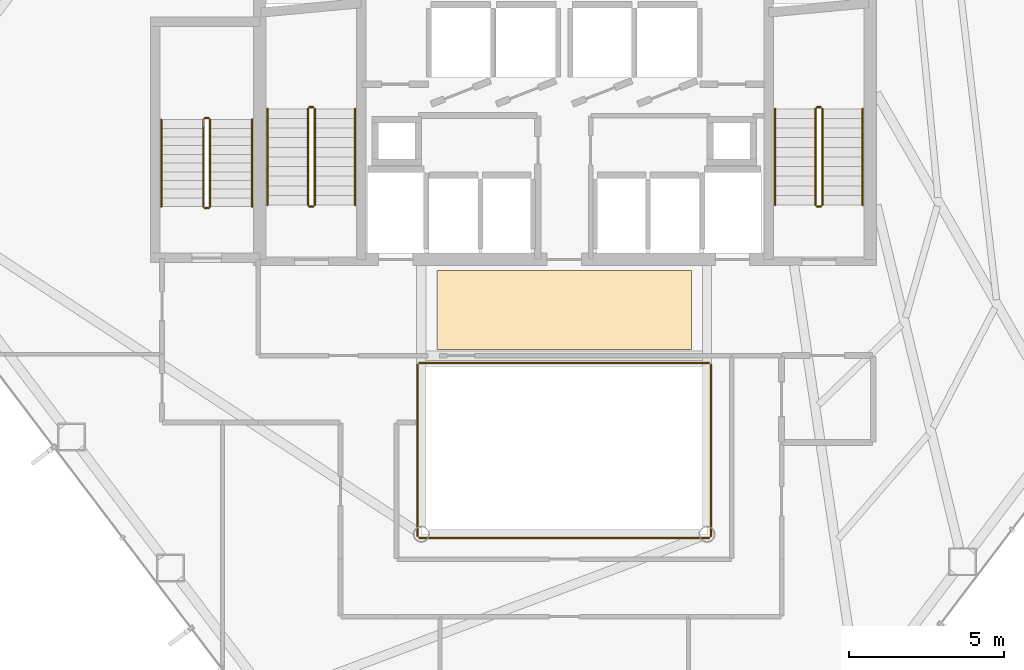
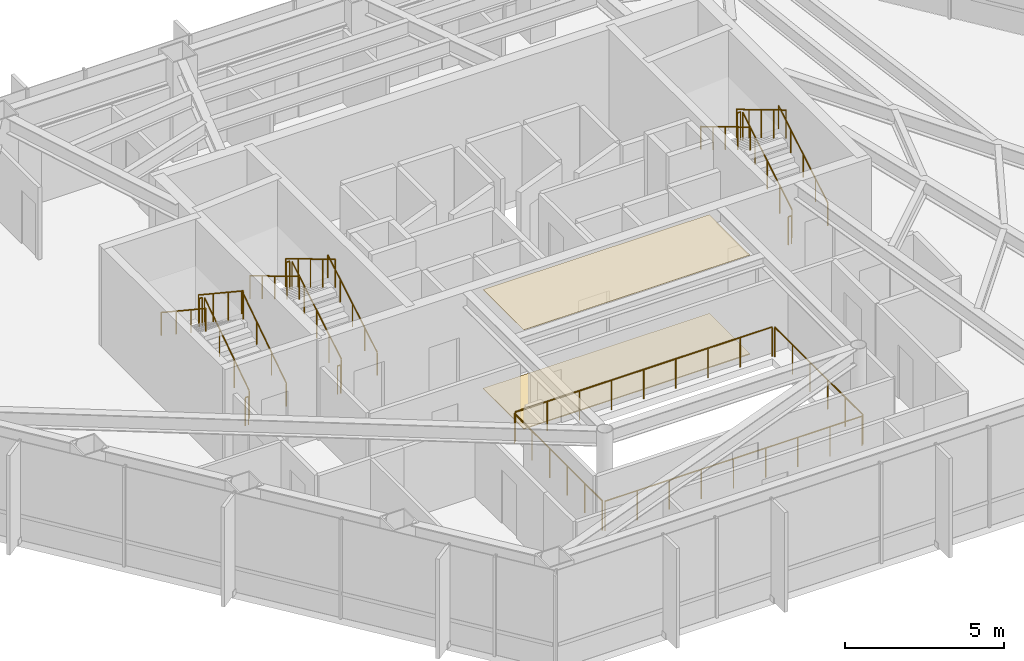
# One storey, part 25 of 25: 22 railings, 2 coverings.
"""IFC4 building model written with IfcOpenShell, lengths in metres."""

from ifc_helpers import new_model, si_unit, direction, frame, origin, origin_2d, place, context, subcontext, project, spatial, polyline, circle, outline, extrude, material, layer, layer_set, type_object, element, save


model = new_model("IFC4")

# Units and contexts
model_context = context("Model", 3, precision=1e-05, world=origin(), true_north=direction((0.0, 1.0)))
body_context = subcontext(model_context, "Body", "Model", "MODEL_VIEW")
ifc_project = project(units=[si_unit("LENGTHUNIT", "METRE"), si_unit("AREAUNIT", "SQUARE_METRE"), si_unit("VOLUMEUNIT", "CUBIC_METRE"), si_unit("PLANEANGLEUNIT", "RADIAN"), si_unit("MASSUNIT", "GRAM", prefix="KILO")], contexts=[model_context])

# Site, building, storey
site_placement = place(None, origin())
site = spatial("IfcSite", under=ifc_project, at=site_placement, CompositionType="ELEMENT")
building_placement = place(site_placement, origin())
building = spatial("IfcBuilding", under=site, at=building_placement, Name="Zarrinselat Tower", CompositionType="ELEMENT")
storey_placement = place(building_placement, frame((0.0, 0.0, 84.659912109375)))
storey = spatial("IfcBuildingStorey", under=building, at=storey_placement, Name="L20", CompositionType="ELEMENT", Elevation=84.659912109375)

# Coverings
ifc_material_1 = material(Name="Fire-Rated Gypsum Board Partition")
ifc_layer_1 = layer(ifc_material_1, 0.014892578125)
ifc_layer_set_1 = layer_set([ifc_layer_1], Name="Fire-Rated Gypsum Board Partition")
covering_type_1 = type_object("IfcCoveringType", Name="COV-CLG-AC15", PredefinedType="CEILING", material=ifc_layer_set_1)
covering_1_placement = place(storey_placement, frame((0.0, 0.0, 3.80517578125)))
element("IfcCovering", 1, at=covering_1_placement, inside=storey, type_object=covering_type_1, Name="L20 Lift Lobby Acoustic Ceiling", PredefinedType="CEILING", context=body_context, shape_type="SweptSolid", body=[
    extrude(outline(polyline([(34.300048828125, 30.35009765625), (42.5, 30.35009765625), (42.5, 32.89990234375), (34.300048828125, 32.89990234375), (34.300048828125, 30.35009765625)])), origin(), (0.0, 0.0, 1.0), 0.014892578125),
])
ifc_material_2 = material(Name="Precast concrete C40/50", Category="concrete")
ifc_layer_2 = layer(ifc_material_2, 0.034912109375)
ifc_layer_set_2 = layer_set([ifc_layer_2], Name="Precast concrete C40/50")
covering_type_2 = type_object("IfcCoveringType", Name="COV-FLR-CP35", PredefinedType="FLOORING", material=ifc_layer_set_2)
covering_2_placement = place(storey_placement, origin())
element("IfcCovering", 2, at=covering_2_placement, inside=storey, type_object=covering_type_2, Name="L20 Lift Lobby Stone Flooring", PredefinedType="FLOORING", context=body_context, shape_type="SweptSolid", body=[
    extrude(outline(polyline([(34.300048828125, 30.35009765625), (42.5, 30.35009765625), (42.5, 32.89990234375), (34.300048828125, 32.89990234375), (34.300048828125, 30.35009765625)])), origin(), (0.0, 0.0, 1.0), 0.03515625),
])

# Railings
ifc_material_3 = material(Name="Double Low-E Laminated Solar Glass", Category="glass")
railing_type_1 = type_object("IfcRailingType", Name="RLG-ATRIUM-BAL", PredefinedType="BALUSTRADE", material=ifc_material_3)
railing_1_placement = place(storey_placement, frame((33.739990234375, 24.280029296875, 0.0)))
element("IfcRailing", 3, at=railing_1_placement, inside=storey, type_object=railing_type_1, Name="L20 Atrium Void Glass Balustrade S", PredefinedType="BALUSTRADE", context=body_context, shape_type="SweptSolid", body=[
    extrude(circle(Radius=0.02392578125, at=origin_2d()), frame((0.0, 0.0, 1.1259765625), z_axis=(1.0, 0.0, 0.0), x_axis=(0.0, 1.0, 0.0)), (0.0, 0.0, 1.0), 9.320068359375),
    extrude(circle(Radius=0.02099609375, at=origin_2d()), origin(), (0.0, 0.0, 1.0), 1.099853515625),
    extrude(circle(Radius=0.02099609375, at=origin_2d()), frame((1.1650390625, 0.0, 0.0)), (0.0, 0.0, 1.0), 1.099853515625),
    extrude(circle(Radius=0.02099609375, at=origin_2d()), frame((2.330078125, 0.0, 0.0)), (0.0, 0.0, 1.0), 1.099853515625),
    extrude(circle(Radius=0.02099609375, at=origin_2d()), frame((3.4951171875, 0.0, 0.0)), (0.0, 0.0, 1.0), 1.099853515625),
    extrude(circle(Radius=0.02099609375, at=origin_2d()), frame((4.66015625, 0.0, 0.0)), (0.0, 0.0, 1.0), 1.099853515625),
    extrude(circle(Radius=0.02099609375, at=origin_2d()), frame((5.824951171875, 0.0, 0.0)), (0.0, 0.0, 1.0), 1.099853515625),
    extrude(circle(Radius=0.02099609375, at=origin_2d()), frame((6.989990234375, 0.0, 0.0)), (0.0, 0.0, 1.0), 1.099853515625),
    extrude(circle(Radius=0.02099609375, at=origin_2d()), frame((8.155029296875, 0.0, 0.0)), (0.0, 0.0, 1.0), 1.099853515625),
    extrude(circle(Radius=0.02099609375, at=origin_2d()), frame((9.320068359375, 0.0, 0.0)), (0.0, 0.0, 1.0), 1.099853515625),
])
railing_2_placement = place(storey_placement, frame((43.1201171875, 24.340087890625, 0.0)))
element("IfcRailing", 4, at=railing_2_placement, inside=storey, type_object=railing_type_1, Name="L20 Atrium Void Glass Balustrade E", PredefinedType="BALUSTRADE", context=body_context, shape_type="SweptSolid", body=[
    extrude(circle(Radius=0.02392578125, at=origin_2d()), frame((0.0, 0.0, 1.1259765625), z_axis=(0.0, 1.0, 0.0), x_axis=(-1.0, 0.0, 0.0)), (0.0, 0.0, 1.0), 5.52001953125),
    extrude(circle(Radius=0.02099609375, at=origin_2d()), origin(), (0.0, 0.0, 1.0), 1.099853515625),
    extrude(circle(Radius=0.02099609375, at=origin_2d()), frame((0.0, 1.10400390625, 0.0)), (0.0, 0.0, 1.0), 1.099853515625),
    extrude(circle(Radius=0.02099609375, at=origin_2d()), frame((0.0, 2.2080078125, 0.0)), (0.0, 0.0, 1.0), 1.099853515625),
    extrude(circle(Radius=0.02099609375, at=origin_2d()), frame((0.0, 3.31201171875, 0.0)), (0.0, 0.0, 1.0), 1.099853515625),
    extrude(circle(Radius=0.02099609375, at=origin_2d()), frame((0.0, 4.416015625, 0.0)), (0.0, 0.0, 1.0), 1.099853515625),
    extrude(circle(Radius=0.02099609375, at=origin_2d()), frame((0.0, 5.52001953125, 0.0)), (0.0, 0.0, 1.0), 1.099853515625),
])
railing_3_placement = place(storey_placement, frame((43.06005859375, 29.919921875, 0.0)))
element("IfcRailing", 5, at=railing_3_placement, inside=storey, type_object=railing_type_1, Name="L20 Atrium Void Glass Balustrade N", PredefinedType="BALUSTRADE", context=body_context, shape_type="SweptSolid", body=[
    extrude(circle(Radius=0.02392578125, at=origin_2d()), frame((0.0, 0.0, 1.1259765625), z_axis=(-1.0, 0.0, 0.0), x_axis=(0.0, -1.0, 0.0)), (0.0, 0.0, 1.0), 9.320068359375),
    extrude(circle(Radius=0.02099609375, at=origin_2d()), origin(), (0.0, 0.0, 1.0), 1.099853515625),
    extrude(circle(Radius=0.02099609375, at=origin_2d()), frame((-1.1650390625, 0.0, 0.0)), (0.0, 0.0, 1.0), 1.099853515625),
    extrude(circle(Radius=0.02099609375, at=origin_2d()), frame((-2.330078125, 0.0, 0.0)), (0.0, 0.0, 1.0), 1.099853515625),
    extrude(circle(Radius=0.02099609375, at=origin_2d()), frame((-3.4951171875, 0.0, 0.0)), (0.0, 0.0, 1.0), 1.099853515625),
    extrude(circle(Radius=0.02099609375, at=origin_2d()), frame((-4.66015625, 0.0, 0.0)), (0.0, 0.0, 1.0), 1.099853515625),
    extrude(circle(Radius=0.02099609375, at=origin_2d()), frame((-5.824951171875, 0.0, 0.0)), (0.0, 0.0, 1.0), 1.099853515625),
    extrude(circle(Radius=0.02099609375, at=origin_2d()), frame((-6.989990234375, 0.0, 0.0)), (0.0, 0.0, 1.0), 1.099853515625),
    extrude(circle(Radius=0.02099609375, at=origin_2d()), frame((-8.155029296875, 0.0, 0.0)), (0.0, 0.0, 1.0), 1.099853515625),
    extrude(circle(Radius=0.02099609375, at=origin_2d()), frame((-9.320068359375, 0.0, 0.0)), (0.0, 0.0, 1.0), 1.099853515625),
])
railing_4_placement = place(storey_placement, frame((33.679931640625, 29.860107421875, 0.0)))
element("IfcRailing", 6, at=railing_4_placement, inside=storey, type_object=railing_type_1, Name="L20 Atrium Void Glass Balustrade W", PredefinedType="BALUSTRADE", context=body_context, shape_type="SweptSolid", body=[
    extrude(circle(Radius=0.02392578125, at=origin_2d()), frame((0.0, 0.0, 1.1259765625), z_axis=(0.0, -1.0, 0.0), x_axis=(1.0, 0.0, 0.0)), (0.0, 0.0, 1.0), 5.52001953125),
    extrude(circle(Radius=0.02099609375, at=origin_2d()), origin(), (0.0, 0.0, 1.0), 1.099853515625),
    extrude(circle(Radius=0.02099609375, at=origin_2d()), frame((0.0, -1.10400390625, 0.0)), (0.0, 0.0, 1.0), 1.099853515625),
    extrude(circle(Radius=0.02099609375, at=origin_2d()), frame((0.0, -2.2080078125, 0.0)), (0.0, 0.0, 1.0), 1.099853515625),
    extrude(circle(Radius=0.02099609375, at=origin_2d()), frame((0.0, -3.31201171875, 0.0)), (0.0, 0.0, 1.0), 1.099853515625),
    extrude(circle(Radius=0.02099609375, at=origin_2d()), frame((0.0, -4.416015625, 0.0)), (0.0, 0.0, 1.0), 1.099853515625),
    extrude(circle(Radius=0.02099609375, at=origin_2d()), frame((0.0, -5.52001953125, 0.0)), (0.0, 0.0, 1.0), 1.099853515625),
])
ifc_material_4 = material(Name="Steel S355J2", Category="steel")
railing_type_2 = type_object("IfcRailingType", Name="RLG-STAIR-GUARD", PredefinedType="GUARDRAIL", material=ifc_material_4)
railing_5_placement = place(storey_placement, frame((30.3701171875, 35.0, 0.185546875)))
element("IfcRailing", 7, at=railing_5_placement, inside=storey, type_object=railing_type_2, Name="L20 ST-1 stair guard 1", PredefinedType="GUARDRAIL", context=body_context, shape_type="SweptSolid", body=[
    extrude(circle(Radius=0.02392578125, at=origin_2d()), frame((0.0, 0.0, 1.076171875), z_axis=(0.0, 0.858171985069, 0.513362293163), x_axis=(-1.0, 0.0, 0.0)), (0.0, 0.0, 1.0), 3.612548828125),
    extrude(circle(Radius=0.02099609375, at=origin_2d()), origin(), (0.0, 0.0, 1.0), 1.050048828125),
    extrude(circle(Radius=0.02099609375, at=origin_2d()), frame((0.0, 0.77490234375, 0.463623046875)), (0.0, 0.0, 1.0), 1.050048828125),
    extrude(circle(Radius=0.02099609375, at=origin_2d()), frame((0.0, 1.550048828125, 0.92724609375)), (0.0, 0.0, 1.0), 1.050048828125),
    extrude(circle(Radius=0.02099609375, at=origin_2d()), frame((0.0, 2.3251953125, 1.390869140625)), (0.0, 0.0, 1.0), 1.050048828125),
    extrude(circle(Radius=0.02099609375, at=origin_2d()), frame((0.0, 3.10009765625, 1.8544921875)), (0.0, 0.0, 1.0), 1.050048828125),
])
railing_6_placement = place(storey_placement, frame((30.320068359375, 38.14990234375, 2.0400390625)))
element("IfcRailing", 8, at=railing_6_placement, inside=storey, type_object=railing_type_2, Name="L20 ST-1 stair guard 2", PredefinedType="GUARDRAIL", context=body_context, shape_type="SweptSolid", body=[
    extrude(circle(Radius=0.02392578125, at=origin_2d()), frame((0.0, 0.0, 1.076171875), z_axis=(-1.0, 0.0, 0.0), x_axis=(0.0, -1.0, 0.0)), (0.0, 0.0, 1.0), 0.1201171875),
    extrude(circle(Radius=0.02099609375, at=origin_2d()), origin(), (0.0, 0.0, 1.0), 1.050048828125),
    extrude(circle(Radius=0.02099609375, at=origin_2d()), frame((-0.1201171875, 0.0, 0.0)), (0.0, 0.0, 1.0), 1.050048828125),
])
railing_7_placement = place(storey_placement, frame((30.14990234375, 38.10009765625, 2.2255859375)))
element("IfcRailing", 9, at=railing_7_placement, inside=storey, type_object=railing_type_2, Name="L20 ST-1 stair guard 3", PredefinedType="GUARDRAIL", context=body_context, shape_type="SweptSolid", body=[
    extrude(circle(Radius=0.02392578125, at=origin_2d()), frame((0.0, 0.0, 1.076171875), z_axis=(0.0, -0.858171985069, 0.513362293163), x_axis=(1.0, 0.0, 0.0)), (0.0, 0.0, 1.0), 3.612548828125),
    extrude(circle(Radius=0.02099609375, at=origin_2d()), origin(), (0.0, 0.0, 1.0), 1.050048828125),
    extrude(circle(Radius=0.02099609375, at=origin_2d()), frame((0.0, -0.77490234375, 0.463623046875)), (0.0, 0.0, 1.0), 1.050048828125),
    extrude(circle(Radius=0.02099609375, at=origin_2d()), frame((0.0, -1.550048828125, 0.92724609375)), (0.0, 0.0, 1.0), 1.050048828125),
    extrude(circle(Radius=0.02099609375, at=origin_2d()), frame((0.0, -2.3251953125, 1.390869140625)), (0.0, 0.0, 1.0), 1.050048828125),
    extrude(circle(Radius=0.02099609375, at=origin_2d()), frame((0.0, -3.10009765625, 1.8544921875)), (0.0, 0.0, 1.0), 1.050048828125),
])
railing_8_placement = place(storey_placement, frame((30.320068359375, 34.949951171875, 0.0)))
element("IfcRailing", 10, at=railing_8_placement, inside=storey, type_object=railing_type_2, Name="L20 ST-1 stair guard 4", PredefinedType="GUARDRAIL", context=body_context, shape_type="SweptSolid", body=[
    extrude(circle(Radius=0.02392578125, at=origin_2d()), frame((0.0, 0.0, 1.076171875), z_axis=(-1.0, 0.0, 0.0), x_axis=(0.0, -1.0, 0.0)), (0.0, 0.0, 1.0), 0.1201171875),
    extrude(circle(Radius=0.02099609375, at=origin_2d()), origin(), (0.0, 0.0, 1.0), 1.050048828125),
    extrude(circle(Radius=0.02099609375, at=origin_2d()), frame((-0.1201171875, 0.0, 0.0)), (0.0, 0.0, 1.0), 1.050048828125),
])
railing_9_placement = place(storey_placement, frame((46.7099609375, 35.0, 0.185546875)))
element("IfcRailing", 11, at=railing_9_placement, inside=storey, type_object=railing_type_2, Name="L20 ST-2 stair guard 1", PredefinedType="GUARDRAIL", context=body_context, shape_type="SweptSolid", body=[
    extrude(circle(Radius=0.02392578125, at=origin_2d()), frame((0.0, 0.0, 1.076171875), z_axis=(0.0, 0.858171985069, 0.513362293163), x_axis=(-1.0, 0.0, 0.0)), (0.0, 0.0, 1.0), 3.612548828125),
    extrude(circle(Radius=0.02099609375, at=origin_2d()), origin(), (0.0, 0.0, 1.0), 1.050048828125),
    extrude(circle(Radius=0.02099609375, at=origin_2d()), frame((0.0, 0.77490234375, 0.463623046875)), (0.0, 0.0, 1.0), 1.050048828125),
    extrude(circle(Radius=0.02099609375, at=origin_2d()), frame((0.0, 1.550048828125, 0.92724609375)), (0.0, 0.0, 1.0), 1.050048828125),
    extrude(circle(Radius=0.02099609375, at=origin_2d()), frame((0.0, 2.3251953125, 1.390869140625)), (0.0, 0.0, 1.0), 1.050048828125),
    extrude(circle(Radius=0.02099609375, at=origin_2d()), frame((0.0, 3.10009765625, 1.8544921875)), (0.0, 0.0, 1.0), 1.050048828125),
])
railing_10_placement = place(storey_placement, frame((46.659912109375, 38.14990234375, 2.0400390625)))
element("IfcRailing", 12, at=railing_10_placement, inside=storey, type_object=railing_type_2, Name="L20 ST-2 stair guard 2", PredefinedType="GUARDRAIL", context=body_context, shape_type="SweptSolid", body=[
    extrude(circle(Radius=0.02392578125, at=origin_2d()), frame((0.0, 0.0, 1.076171875), z_axis=(-1.0, 0.0, 0.0), x_axis=(0.0, -1.0, 0.0)), (0.0, 0.0, 1.0), 0.119873046875),
    extrude(circle(Radius=0.02099609375, at=origin_2d()), origin(), (0.0, 0.0, 1.0), 1.050048828125),
    extrude(circle(Radius=0.02099609375, at=origin_2d()), frame((-0.119873046875, 0.0, 0.0)), (0.0, 0.0, 1.0), 1.050048828125),
])
railing_11_placement = place(storey_placement, frame((46.489990234375, 38.10009765625, 2.2255859375)))
element("IfcRailing", 13, at=railing_11_placement, inside=storey, type_object=railing_type_2, Name="L20 ST-2 stair guard 3", PredefinedType="GUARDRAIL", context=body_context, shape_type="SweptSolid", body=[
    extrude(circle(Radius=0.02392578125, at=origin_2d()), frame((0.0, 0.0, 1.076171875), z_axis=(0.0, -0.858171985069, 0.513362293163), x_axis=(1.0, 0.0, 0.0)), (0.0, 0.0, 1.0), 3.612548828125),
    extrude(circle(Radius=0.02099609375, at=origin_2d()), origin(), (0.0, 0.0, 1.0), 1.050048828125),
    extrude(circle(Radius=0.02099609375, at=origin_2d()), frame((0.0, -0.77490234375, 0.463623046875)), (0.0, 0.0, 1.0), 1.050048828125),
    extrude(circle(Radius=0.02099609375, at=origin_2d()), frame((0.0, -1.550048828125, 0.92724609375)), (0.0, 0.0, 1.0), 1.050048828125),
    extrude(circle(Radius=0.02099609375, at=origin_2d()), frame((0.0, -2.3251953125, 1.390869140625)), (0.0, 0.0, 1.0), 1.050048828125),
    extrude(circle(Radius=0.02099609375, at=origin_2d()), frame((0.0, -3.10009765625, 1.8544921875)), (0.0, 0.0, 1.0), 1.050048828125),
])
railing_12_placement = place(storey_placement, frame((46.659912109375, 34.949951171875, 0.0)))
element("IfcRailing", 14, at=railing_12_placement, inside=storey, type_object=railing_type_2, Name="L20 ST-2 stair guard 4", PredefinedType="GUARDRAIL", context=body_context, shape_type="SweptSolid", body=[
    extrude(circle(Radius=0.02392578125, at=origin_2d()), frame((0.0, 0.0, 1.076171875), z_axis=(-1.0, 0.0, 0.0), x_axis=(0.0, -1.0, 0.0)), (0.0, 0.0, 1.0), 0.119873046875),
    extrude(circle(Radius=0.02099609375, at=origin_2d()), origin(), (0.0, 0.0, 1.0), 1.050048828125),
    extrude(circle(Radius=0.02099609375, at=origin_2d()), frame((-0.119873046875, 0.0, 0.0)), (0.0, 0.0, 1.0), 1.050048828125),
])
railing_13_placement = place(storey_placement, frame((27.0, 34.949951171875, 0.185546875)))
element("IfcRailing", 15, at=railing_13_placement, inside=storey, type_object=railing_type_2, Name="L20 ST-3 stair guard 1", PredefinedType="GUARDRAIL", context=body_context, shape_type="SweptSolid", body=[
    extrude(circle(Radius=0.02392578125, at=origin_2d()), frame((0.0, 0.0, 1.076171875), z_axis=(0.0, 0.833724036255, 0.552181339209), x_axis=(-1.0, 0.0, 0.0)), (0.0, 0.0, 1.0), 3.3583984375),
    extrude(circle(Radius=0.02099609375, at=origin_2d()), origin(), (0.0, 0.0, 1.0), 1.050048828125),
    extrude(circle(Radius=0.02099609375, at=origin_2d()), frame((0.0, 0.933349609375, 0.6181640625)), (0.0, 0.0, 1.0), 1.050048828125),
    extrude(circle(Radius=0.02099609375, at=origin_2d()), frame((0.0, 1.86669921875, 1.236328125)), (0.0, 0.0, 1.0), 1.050048828125),
    extrude(circle(Radius=0.02099609375, at=origin_2d()), frame((0.0, 2.800048828125, 1.8544921875)), (0.0, 0.0, 1.0), 1.050048828125),
])
railing_14_placement = place(storey_placement, frame((26.949951171875, 37.800048828125, 2.0400390625)))
element("IfcRailing", 16, at=railing_14_placement, inside=storey, type_object=railing_type_2, Name="L20 ST-3 stair guard 2", PredefinedType="GUARDRAIL", context=body_context, shape_type="SweptSolid", body=[
    extrude(circle(Radius=0.02392578125, at=origin_2d()), frame((0.0, 0.0, 1.076171875), z_axis=(-1.0, 0.0, 0.0), x_axis=(0.0, -1.0, 0.0)), (0.0, 0.0, 1.0), 0.119873046875),
    extrude(circle(Radius=0.02099609375, at=origin_2d()), origin(), (0.0, 0.0, 1.0), 1.050048828125),
    extrude(circle(Radius=0.02099609375, at=origin_2d()), frame((-0.119873046875, 0.0, 0.0)), (0.0, 0.0, 1.0), 1.050048828125),
])
railing_15_placement = place(storey_placement, frame((26.780029296875, 37.75, 2.2255859375)))
element("IfcRailing", 17, at=railing_15_placement, inside=storey, type_object=railing_type_2, Name="L20 ST-3 stair guard 3", PredefinedType="GUARDRAIL", context=body_context, shape_type="SweptSolid", body=[
    extrude(circle(Radius=0.02392578125, at=origin_2d()), frame((0.0, 0.0, 1.076171875), z_axis=(0.0, -0.833724036255, 0.552181339209), x_axis=(1.0, 0.0, 0.0)), (0.0, 0.0, 1.0), 3.3583984375),
    extrude(circle(Radius=0.02099609375, at=origin_2d()), origin(), (0.0, 0.0, 1.0), 1.050048828125),
    extrude(circle(Radius=0.02099609375, at=origin_2d()), frame((0.0, -0.933349609375, 0.6181640625)), (0.0, 0.0, 1.0), 1.050048828125),
    extrude(circle(Radius=0.02099609375, at=origin_2d()), frame((0.0, -1.86669921875, 1.236328125)), (0.0, 0.0, 1.0), 1.050048828125),
    extrude(circle(Radius=0.02099609375, at=origin_2d()), frame((0.0, -2.800048828125, 1.8544921875)), (0.0, 0.0, 1.0), 1.050048828125),
])
railing_16_placement = place(storey_placement, frame((26.949951171875, 34.89990234375, 0.0)))
element("IfcRailing", 18, at=railing_16_placement, inside=storey, type_object=railing_type_2, Name="L20 ST-3 stair guard 4", PredefinedType="GUARDRAIL", context=body_context, shape_type="SweptSolid", body=[
    extrude(circle(Radius=0.02392578125, at=origin_2d()), frame((0.0, 0.0, 1.076171875), z_axis=(-1.0, 0.0, 0.0), x_axis=(0.0, -1.0, 0.0)), (0.0, 0.0, 1.0), 0.119873046875),
    extrude(circle(Radius=0.02099609375, at=origin_2d()), origin(), (0.0, 0.0, 1.0), 1.050048828125),
    extrude(circle(Radius=0.02099609375, at=origin_2d()), frame((-0.119873046875, 0.0, 0.0)), (0.0, 0.0, 1.0), 1.050048828125),
])
ifc_material_5 = material(Name="Steel S355J2", Category="steel")
railing_type_3 = type_object("IfcRailingType", Name="RLG-STAIR-HAND", PredefinedType="HANDRAIL", material=ifc_material_5)
railing_17_placement = place(storey_placement, frame((31.669921875, 35.0, 0.185546875)))
element("IfcRailing", 19, at=railing_17_placement, inside=storey, type_object=railing_type_3, Name="L20 ST-1 stair handrail 1", PredefinedType="HANDRAIL", context=body_context, shape_type="SweptSolid", body=[
    extrude(circle(Radius=0.02392578125, at=origin_2d()), frame((0.0, 0.0, 0.8759765625), z_axis=(0.0, 0.858171985069, 0.513362293163), x_axis=(-1.0, 0.0, 0.0)), (0.0, 0.0, 1.0), 3.612548828125),
    extrude(circle(Radius=0.02099609375, at=origin_2d()), origin(), (0.0, 0.0, 1.0), 0.849853515625),
    extrude(circle(Radius=0.02099609375, at=origin_2d()), frame((0.0, 0.77490234375, 0.463623046875)), (0.0, 0.0, 1.0), 0.849853515625),
    extrude(circle(Radius=0.02099609375, at=origin_2d()), frame((0.0, 1.550048828125, 0.92724609375)), (0.0, 0.0, 1.0), 0.849853515625),
    extrude(circle(Radius=0.02099609375, at=origin_2d()), frame((0.0, 2.3251953125, 1.390869140625)), (0.0, 0.0, 1.0), 0.849853515625),
    extrude(circle(Radius=0.02099609375, at=origin_2d()), frame((0.0, 3.10009765625, 1.8544921875)), (0.0, 0.0, 1.0), 0.849853515625),
])
railing_18_placement = place(storey_placement, frame((28.85009765625, 38.10009765625, 2.2255859375)))
element("IfcRailing", 20, at=railing_18_placement, inside=storey, type_object=railing_type_3, Name="L20 ST-1 stair handrail 2", PredefinedType="HANDRAIL", context=body_context, shape_type="SweptSolid", body=[
    extrude(circle(Radius=0.02392578125, at=origin_2d()), frame((0.0, 0.0, 0.8759765625), z_axis=(0.0, -0.858171985069, 0.513362293163), x_axis=(1.0, 0.0, 0.0)), (0.0, 0.0, 1.0), 3.612548828125),
    extrude(circle(Radius=0.02099609375, at=origin_2d()), origin(), (0.0, 0.0, 1.0), 0.849853515625),
    extrude(circle(Radius=0.02099609375, at=origin_2d()), frame((0.0, -0.77490234375, 0.463623046875)), (0.0, 0.0, 1.0), 0.849853515625),
    extrude(circle(Radius=0.02099609375, at=origin_2d()), frame((0.0, -1.550048828125, 0.92724609375)), (0.0, 0.0, 1.0), 0.849853515625),
    extrude(circle(Radius=0.02099609375, at=origin_2d()), frame((0.0, -2.3251953125, 1.390869140625)), (0.0, 0.0, 1.0), 0.849853515625),
    extrude(circle(Radius=0.02099609375, at=origin_2d()), frame((0.0, -3.10009765625, 1.8544921875)), (0.0, 0.0, 1.0), 0.849853515625),
])
railing_19_placement = place(storey_placement, frame((48.010009765625, 35.0, 0.185546875)))
element("IfcRailing", 21, at=railing_19_placement, inside=storey, type_object=railing_type_3, Name="L20 ST-2 stair handrail 1", PredefinedType="HANDRAIL", context=body_context, shape_type="SweptSolid", body=[
    extrude(circle(Radius=0.02392578125, at=origin_2d()), frame((0.0, 0.0, 0.8759765625), z_axis=(0.0, 0.858171985069, 0.513362293163), x_axis=(-1.0, 0.0, 0.0)), (0.0, 0.0, 1.0), 3.612548828125),
    extrude(circle(Radius=0.02099609375, at=origin_2d()), origin(), (0.0, 0.0, 1.0), 0.849853515625),
    extrude(circle(Radius=0.02099609375, at=origin_2d()), frame((0.0, 0.77490234375, 0.463623046875)), (0.0, 0.0, 1.0), 0.849853515625),
    extrude(circle(Radius=0.02099609375, at=origin_2d()), frame((0.0, 1.550048828125, 0.92724609375)), (0.0, 0.0, 1.0), 0.849853515625),
    extrude(circle(Radius=0.02099609375, at=origin_2d()), frame((0.0, 2.3251953125, 1.390869140625)), (0.0, 0.0, 1.0), 0.849853515625),
    extrude(circle(Radius=0.02099609375, at=origin_2d()), frame((0.0, 3.10009765625, 1.8544921875)), (0.0, 0.0, 1.0), 0.849853515625),
])
railing_20_placement = place(storey_placement, frame((45.18994140625, 38.10009765625, 2.2255859375)))
element("IfcRailing", 22, at=railing_20_placement, inside=storey, type_object=railing_type_3, Name="L20 ST-2 stair handrail 2", PredefinedType="HANDRAIL", context=body_context, shape_type="SweptSolid", body=[
    extrude(circle(Radius=0.02392578125, at=origin_2d()), frame((0.0, 0.0, 0.8759765625), z_axis=(0.0, -0.858171985069, 0.513362293163), x_axis=(1.0, 0.0, 0.0)), (0.0, 0.0, 1.0), 3.612548828125),
    extrude(circle(Radius=0.02099609375, at=origin_2d()), origin(), (0.0, 0.0, 1.0), 0.849853515625),
    extrude(circle(Radius=0.02099609375, at=origin_2d()), frame((0.0, -0.77490234375, 0.463623046875)), (0.0, 0.0, 1.0), 0.849853515625),
    extrude(circle(Radius=0.02099609375, at=origin_2d()), frame((0.0, -1.550048828125, 0.92724609375)), (0.0, 0.0, 1.0), 0.849853515625),
    extrude(circle(Radius=0.02099609375, at=origin_2d()), frame((0.0, -2.3251953125, 1.390869140625)), (0.0, 0.0, 1.0), 0.849853515625),
    extrude(circle(Radius=0.02099609375, at=origin_2d()), frame((0.0, -3.10009765625, 1.8544921875)), (0.0, 0.0, 1.0), 0.849853515625),
])
railing_21_placement = place(storey_placement, frame((28.35009765625, 34.949951171875, 0.185546875)))
element("IfcRailing", 23, at=railing_21_placement, inside=storey, type_object=railing_type_3, Name="L20 ST-3 stair handrail 1", PredefinedType="HANDRAIL", context=body_context, shape_type="SweptSolid", body=[
    extrude(circle(Radius=0.02392578125, at=origin_2d()), frame((0.0, 0.0, 0.8759765625), z_axis=(0.0, 0.833724036255, 0.552181339209), x_axis=(-1.0, 0.0, 0.0)), (0.0, 0.0, 1.0), 3.3583984375),
    extrude(circle(Radius=0.02099609375, at=origin_2d()), origin(), (0.0, 0.0, 1.0), 0.849853515625),
    extrude(circle(Radius=0.02099609375, at=origin_2d()), frame((0.0, 0.933349609375, 0.6181640625)), (0.0, 0.0, 1.0), 0.849853515625),
    extrude(circle(Radius=0.02099609375, at=origin_2d()), frame((0.0, 1.86669921875, 1.236328125)), (0.0, 0.0, 1.0), 0.849853515625),
    extrude(circle(Radius=0.02099609375, at=origin_2d()), frame((0.0, 2.800048828125, 1.8544921875)), (0.0, 0.0, 1.0), 0.849853515625),
])
railing_22_placement = place(storey_placement, frame((25.429931640625, 37.75, 2.2255859375)))
element("IfcRailing", 24, at=railing_22_placement, inside=storey, type_object=railing_type_3, Name="L20 ST-3 stair handrail 2", PredefinedType="HANDRAIL", context=body_context, shape_type="SweptSolid", body=[
    extrude(circle(Radius=0.02392578125, at=origin_2d()), frame((0.0, 0.0, 0.8759765625), z_axis=(0.0, -0.833724036255, 0.552181339209), x_axis=(1.0, 0.0, 0.0)), (0.0, 0.0, 1.0), 3.3583984375),
    extrude(circle(Radius=0.02099609375, at=origin_2d()), origin(), (0.0, 0.0, 1.0), 0.849853515625),
    extrude(circle(Radius=0.02099609375, at=origin_2d()), frame((0.0, -0.933349609375, 0.6181640625)), (0.0, 0.0, 1.0), 0.849853515625),
    extrude(circle(Radius=0.02099609375, at=origin_2d()), frame((0.0, -1.86669921875, 1.236328125)), (0.0, 0.0, 1.0), 0.849853515625),
    extrude(circle(Radius=0.02099609375, at=origin_2d()), frame((0.0, -2.800048828125, 1.8544921875)), (0.0, 0.0, 1.0), 0.849853515625),
])

save(model, "model.ifc")
